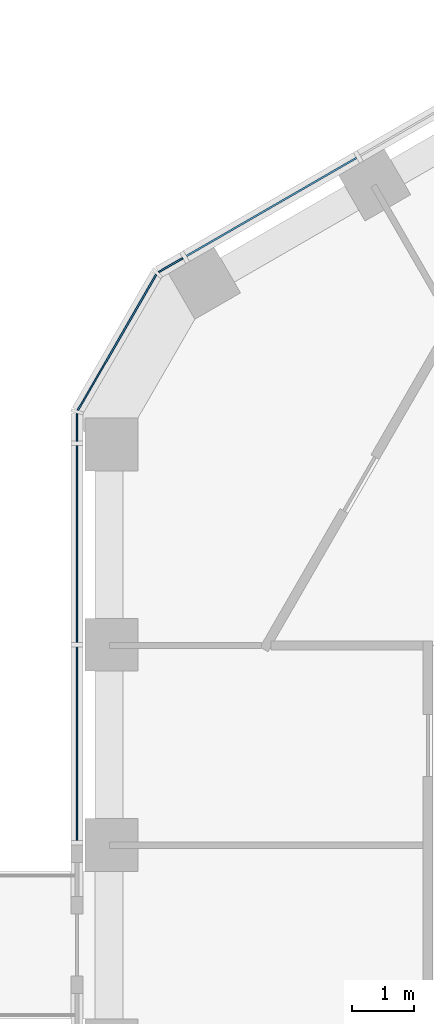
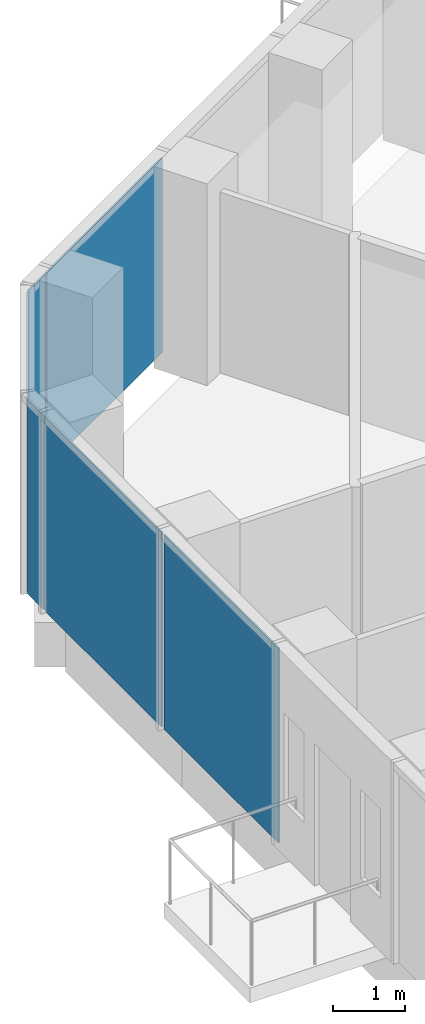
# One storey, part 9 of 19: 6 plates, 3 elements without a shape of their own.
"""IFC4 building model written with IfcOpenShell, lengths in metres."""

import ifcopenshell
import ifcopenshell.guid

model = None  # the IFC model being written
_history = None  # IfcOwnerHistory: only IFC2X3 demands one
_inside = {}  # id of a spatial element -> (the spatial element, [elements in it])
_under = {}  # id of a project, library or spatial element -> (it, [spatial elements below it])
_declared = {}  # id of a project -> (the project, [libraries it declares])
_typed = {}  # id of a type object -> (the type object, [elements of that type])
_made_of = {}  # id of a material, layer set ... -> (it, [elements and type objects made of it])


def new_model(schema):
    """Start an empty IFC model of exactly this schema.

    Asked for "IFC4X3", IfcOpenShell would pick the latest addendum, in which some entities
    have other attributes; the version numbers below select the first issue.
    IFC2X3 requires an IfcOwnerHistory on every rooted entity: one is made here for all.
    """
    global model, _history
    if schema == "IFC4X3":
        model = ifcopenshell.file(schema_version=(4, 3, 0, 0))
    else:
        model = ifcopenshell.file(schema=schema)
    _inside.clear()
    _under.clear()
    _declared.clear()
    _typed.clear()
    _made_of.clear()
    _history = None
    if model.schema == "IFC2X3":
        org = make("IfcOrganization", Name="unknown")
        user = make(
            "IfcPersonAndOrganization",
            ThePerson=make("IfcPerson", FamilyName="unknown"),
            TheOrganization=org,
        )
        app = make(
            "IfcApplication",
            ApplicationDeveloper=org,
            Version="unknown",
            ApplicationFullName="unknown",
            ApplicationIdentifier="unknown",
        )
        _history = make(
            "IfcOwnerHistory",
            OwningUser=user,
            OwningApplication=app,
            ChangeAction="ADDED",
            CreationDate=0,
        )
    return model


def make(cls, **values):
    """One entity of the class cls with the attributes given. An attribute that is None is left unset."""
    return model.create_entity(
        cls, **{name: value for name, value in values.items() if value is not None}
    )


def rooted(cls, **values):
    """An entity with a GlobalId (a new one), such as an element, a storey or a relation."""
    return make(cls, GlobalId=ifcopenshell.guid.new(), OwnerHistory=_history, **values)


def si_unit(unit_type, name, prefix=None):
    """IfcSIUnit, for example si_unit("LENGTHUNIT", "METRE", prefix="MILLI")."""
    return make("IfcSIUnit", UnitType=unit_type, Prefix=prefix, Name=name)


def assignment(units):
    """IfcUnitAssignment: the units of a project."""
    return None if units is None else make("IfcUnitAssignment", Units=units)


def point(xyz):
    """IfcCartesianPoint."""
    return None if xyz is None else make("IfcCartesianPoint", Coordinates=xyz)


def direction(xyz):
    """IfcDirection."""
    return None if xyz is None else make("IfcDirection", DirectionRatios=xyz)


def frame(location, z_axis=None, x_axis=None):
    """IfcAxis2Placement3D, a coordinate frame: its origin and axes. An axis left out is left unset."""
    return make(
        "IfcAxis2Placement3D",
        Location=point(location),
        Axis=direction(z_axis),
        RefDirection=direction(x_axis),
    )


def frame_2d(location, x_axis=None):
    """IfcAxis2Placement2D, a coordinate frame in the plane: its origin and x axis."""
    return make(
        "IfcAxis2Placement2D", Location=point(location), RefDirection=direction(x_axis)
    )


def origin():
    """The frame at (0, 0, 0) with its axes left unset."""
    return frame((0.0, 0.0, 0.0))


def origin_2d():
    """The frame at (0, 0) in the plane with its x axis left unset."""
    return frame_2d((0.0, 0.0))


def place(relative_to, where):
    """IfcLocalPlacement: puts the frame where relative to a parent placement (None: the world)."""
    return make(
        "IfcLocalPlacement", PlacementRelTo=relative_to, RelativePlacement=where
    )


def context(
    kind, dimensions, precision=None, world=None, true_north=None, identifier=None
):
    """IfcGeometricRepresentationContext, for example the 3D "Model" context."""
    return make(
        "IfcGeometricRepresentationContext",
        ContextIdentifier=identifier,
        ContextType=kind,
        CoordinateSpaceDimension=dimensions,
        Precision=precision,
        WorldCoordinateSystem=world,
        TrueNorth=true_north,
    )


def subcontext(parent, identifier, kind, view, scale=None):
    """IfcGeometricRepresentationSubContext, for example "Body" below "Model"."""
    return make(
        "IfcGeometricRepresentationSubContext",
        ContextIdentifier=identifier,
        ContextType=kind,
        ParentContext=parent,
        TargetScale=scale,
        TargetView=view,
    )


def project(units=None, contexts=None):
    """IfcProject with its units and contexts."""
    return rooted(
        "IfcProject",
        Name="project",
        RepresentationContexts=contexts,
        UnitsInContext=assignment(units),
    )


def spatial(cls, under=None, at=None, **own):
    """A site, building, storey or space (cls), placed at a placement, below another one or the project."""
    s = rooted(cls, ObjectPlacement=at, **own)
    if under is not None:
        _under.setdefault(under.id(), (under, []))[1].append(s)
    return s


def profile(cls, at=None, kind="AREA", **sizes):
    """A parametric profile (cls). Its sizes go by their IFC names, for example OverallWidth=200.0."""
    return make(cls, ProfileType=kind, Position=at, **sizes)


def rectangle(**sizes):
    """IfcRectangleProfileDef."""
    return profile("IfcRectangleProfileDef", **sizes)


def extrude(swept, where, along, depth):
    """IfcExtrudedAreaSolid: the profile swept, set in the frame where, extruded along a direction by depth."""
    return make(
        "IfcExtrudedAreaSolid",
        SweptArea=swept,
        Position=where,
        ExtrudedDirection=direction(along),
        Depth=depth,
    )


def shape(context_of_items, identifier, shape_type, items):
    """IfcShapeRepresentation: the items that make up one representation, for example the "Body"."""
    return make(
        "IfcShapeRepresentation",
        ContextOfItems=context_of_items,
        RepresentationIdentifier=identifier,
        RepresentationType=shape_type,
        Items=items,
    )


def material(Name=None, Category=None):
    """IfcMaterial."""
    return make("IfcMaterial", Name=Name, Category=Category)


def layer(
    of_material, thickness, ventilated=None, Name=None, Category=None, Priority=None
):
    """IfcMaterialLayer: one layer of a wall or slab, of a material (None: an air gap)."""
    return make(
        "IfcMaterialLayer",
        Material=of_material,
        LayerThickness=thickness,
        IsVentilated=ventilated,
        Name=Name,
        Category=Category,
        Priority=Priority,
    )


def layer_set(layers, Name=None):
    """IfcMaterialLayerSet."""
    return make("IfcMaterialLayerSet", MaterialLayers=layers, LayerSetName=Name)


def made_of(thing, what):
    """Note that an element or type object is made of a material, layer set ...; save() writes the relation."""
    if what is not None:
        _made_of.setdefault(what.id(), (what, []))[1].append(thing)
    return thing


def type_object(cls, material=None, **own):
    """A type object (cls), such as IfcWallType, which elements share."""
    return made_of(rooted(cls, **own), material)


def element(
    cls,
    number,
    at=None,
    inside=None,
    cuts=None,
    type_object=None,
    material=None,
    context=None,
    identifier="Body",
    shape_type=None,
    held_by="IfcProductDefinitionShape",
    body=None,
    shapes=None,
    **own,
):
    """One element of the class cls, such as IfcWall. Its Tag is "e" and its number.

    at: its placement. inside: the storey or other place that contains it. cuts: it is an
    opening in that element (IfcRelVoidsElement). A single representation is given by context,
    identifier, shape_type and body (its items); several are given by shapes. held_by: the class
    of the entity that holds the representations. save() writes the other relations.
    """
    e = rooted(cls, Tag="e%d" % number, ObjectPlacement=at, **own)
    if body is not None:
        shapes = [shape(context, identifier, shape_type, body)]
    if shapes is not None:
        e.Representation = make(held_by, Representations=shapes)
    if inside is not None:
        _inside.setdefault(inside.id(), (inside, []))[1].append(e)
    if cuts is not None:
        rooted(
            "IfcRelVoidsElement", RelatingBuildingElement=cuts, RelatedOpeningElement=e
        )
    if type_object is not None:
        _typed.setdefault(type_object.id(), (type_object, []))[1].append(e)
    return made_of(e, material)


def aggregate(whole, parts):
    """IfcRelAggregates: a whole, such as a stair, and the parts it consists of."""
    return rooted("IfcRelAggregates", RelatingObject=whole, RelatedObjects=parts)


def save(model, path):
    """Write the relations noted so far, then the file.

    IfcRelAggregates (storeys below a building ...), IfcRelContainedInSpatialStructure (elements
    in a storey), IfcRelDefinesByType, IfcRelAssociatesMaterial and IfcRelDeclares: one each for
    every whole, place, type object, material and project.
    """
    for whole, parts in _under.values():
        aggregate(whole, parts)
    for where, things in _inside.values():
        rooted(
            "IfcRelContainedInSpatialStructure",
            RelatedElements=things,
            RelatingStructure=where,
        )
    for kind, things in _typed.values():
        rooted("IfcRelDefinesByType", RelatedObjects=things, RelatingType=kind)
    for what, things in _made_of.values():
        rooted("IfcRelAssociatesMaterial", RelatedObjects=things, RelatingMaterial=what)
    for by, libraries in _declared.values():
        rooted("IfcRelDeclares", RelatingContext=by, RelatedDefinitions=libraries)
    model.write(path)


model = new_model("IFC4")

# Units and contexts
model_context = context("Model", 3, precision=1e-05, world=origin(), true_north=direction((0.0, 1.0)))
body_context = subcontext(model_context, "Body", "Model", "MODEL_VIEW")
ifc_project = project(units=[si_unit("LENGTHUNIT", "METRE"), si_unit("AREAUNIT", "SQUARE_METRE"), si_unit("VOLUMEUNIT", "CUBIC_METRE"), si_unit("PLANEANGLEUNIT", "RADIAN"), si_unit("MASSUNIT", "GRAM", prefix="KILO")], contexts=[model_context])

# Site, building, storey
site_placement = place(None, origin())
site = spatial("IfcSite", under=ifc_project, at=site_placement, CompositionType="ELEMENT")
building_placement = place(site_placement, origin())
building = spatial("IfcBuilding", under=site, at=building_placement, Name="Ayvan Gate Tower", CompositionType="ELEMENT")
storey_placement = place(building_placement, frame((0.0, 0.0, 222.300048828125)))
storey = spatial("IfcBuildingStorey", under=building, at=storey_placement, Name="L59", CompositionType="ELEMENT", Elevation=222.300048828125)

# Curtain wall, plate
ifc_material_1 = material(Name="Bronze anodised aluminium", Category="aluminium")
ifc_layer_1 = layer(ifc_material_1, 0.199951171875)
ifc_layer_set_1 = layer_set([ifc_layer_1], Name="Bronze anodised aluminium")
curtain_wall_type_1 = type_object("IfcCurtainWallType", Name="Stick curtain wall CW-2", PredefinedType="NOTDEFINED", material=ifc_layer_set_1)
curtain_wall_1_placement = place(storey_placement, origin())
curtain_wall_1 = element("IfcCurtainWall", 1, at=curtain_wall_1_placement, inside=storey, type_object=curtain_wall_type_1, Name="Stick curtain wall CW-2 L59", PredefinedType="NOTDEFINED")
ifc_material_2 = material(Name="Clear low-iron laminated glass", Category="glass")
ifc_layer_2 = layer(ifc_material_2, 0.028076171875)
ifc_layer_set_2 = layer_set([ifc_layer_2], Name="Clear low-iron laminated glass")
plate_type_1 = type_object("IfcPlateType", Name="Stick curtain wall CW-2 glass panel", PredefinedType="CURTAIN_PANEL", material=ifc_layer_set_2)
plate_1_placement = place(storey_placement, frame((-14.23486328125, 11.8876953125, 0.0), z_axis=(0.0, 0.0, 1.0), x_axis=(-0.866025403784, -0.5, 0.0)))
plate_1 = element("IfcPlate", 2, at=plate_1_placement, type_object=plate_type_1, Name="CW-2 glass panel 3", PredefinedType="CURTAIN_PANEL", context=body_context, shape_type="SweptSolid", body=[
    extrude(rectangle(XDim=3.198974609375, YDim=0.028076171875, at=origin_2d()), origin(), (0.0, 0.0, 1.0), 3.280029296875),
])
aggregate(curtain_wall_1, [plate_1])

# Curtain wall, plates
curtain_wall_2_placement = place(storey_placement, origin())
curtain_wall_2 = element("IfcCurtainWall", 3, at=curtain_wall_2_placement, inside=storey, type_object=curtain_wall_type_1, Name="Stick curtain wall CW-2 L59", PredefinedType="NOTDEFINED")
plate_2_placement = place(storey_placement, frame((-17.35302734375, 6.4814453125, 0.0), z_axis=(0.0, 0.0, 1.0), x_axis=(0.0, -1.0, 0.0)))
plate_2 = element("IfcPlate", 4, at=plate_2_placement, type_object=plate_type_1, Name="CW-2 glass panel 1", PredefinedType="CURTAIN_PANEL", context=body_context, shape_type="SweptSolid", body=[
    extrude(rectangle(XDim=3.2099609375, YDim=0.028076171875, at=origin_2d()), origin(), (0.0, 0.0, 1.0), 3.280029296875),
])
plate_3_placement = place(storey_placement, frame((-17.35302734375, 3.227783203125, 0.0), z_axis=(0.0, 0.0, 1.0), x_axis=(0.0, -1.0, 0.0)))
plate_3 = element("IfcPlate", 5, at=plate_3_placement, type_object=plate_type_1, Name="CW-2 glass panel 2", PredefinedType="CURTAIN_PANEL", context=body_context, shape_type="SweptSolid", body=[
    extrude(rectangle(XDim=3.156982421875, YDim=0.028076171875, at=origin_2d()), origin(), (0.0, 0.0, 1.0), 3.280029296875),
])
aggregate(curtain_wall_2, [plate_2, plate_3])

ifc_layer_3 = layer(ifc_material_1, 0.199951171875)
ifc_layer_set_3 = layer_set([ifc_layer_3], Name="Bronze anodised aluminium")
curtain_wall_type_2 = type_object("IfcCurtainWallType", Name="Stick curtain wall CW-6", PredefinedType="NOTDEFINED", material=ifc_layer_set_3)
curtain_wall_3_placement = place(storey_placement, origin())
curtain_wall_3 = element("IfcCurtainWall", 6, at=curtain_wall_3_placement, inside=storey, type_object=curtain_wall_type_2, Name="Stick curtain wall CW-6 L59", PredefinedType="NOTDEFINED")
ifc_layer_4 = layer(ifc_material_2, 0.028076171875)
ifc_layer_set_4 = layer_set([ifc_layer_4], Name="Clear low-iron laminated glass")
plate_type_2 = type_object("IfcPlateType", Name="Stick curtain wall CW-6 glass panel", PredefinedType="CURTAIN_PANEL", material=ifc_layer_set_4)
plate_4_placement = place(storey_placement, frame((-15.845458984375, 10.9580078125, 0.0), z_axis=(0.0, 0.0, 1.0), x_axis=(-0.866025403784, -0.5, 0.0)))
plate_4 = element("IfcPlate", 7, at=plate_4_placement, type_object=plate_type_2, Name="CW-6 glass panel 1", PredefinedType="CURTAIN_PANEL", context=body_context, shape_type="SweptSolid", body=[
    extrude(rectangle(XDim=0.449951171875, YDim=0.028076171875, at=origin_2d()), origin(), (0.0, 0.0, 1.0), 3.280029296875),
])
plate_5_placement = place(storey_placement, frame((-16.70751953125, 9.714599609375, 0.0), z_axis=(0.0, 0.0, 1.0), x_axis=(-0.5, -0.866025403784, 0.0)))
plate_5 = element("IfcPlate", 8, at=plate_5_placement, type_object=plate_type_2, Name="CW-6 glass panel 2", PredefinedType="CURTAIN_PANEL", context=body_context, shape_type="SweptSolid", body=[
    extrude(rectangle(XDim=2.532470703125, YDim=0.028076171875, at=origin_2d()), origin(), (0.0, 0.0, 1.0), 3.280029296875),
])
plate_6_placement = place(storey_placement, frame((-17.35302734375, 8.346435546875, 0.0), z_axis=(0.0, 0.0, 1.0), x_axis=(0.0, -1.0, 0.0)))
plate_6 = element("IfcPlate", 9, at=plate_6_placement, type_object=plate_type_2, Name="CW-6 glass panel 3", PredefinedType="CURTAIN_PANEL", context=body_context, shape_type="SweptSolid", body=[
    extrude(rectangle(XDim=0.449951171875, YDim=0.028076171875, at=origin_2d()), origin(), (0.0, 0.0, 1.0), 3.280029296875),
])
aggregate(curtain_wall_3, [plate_4, plate_5, plate_6])

save(model, "model.ifc")
